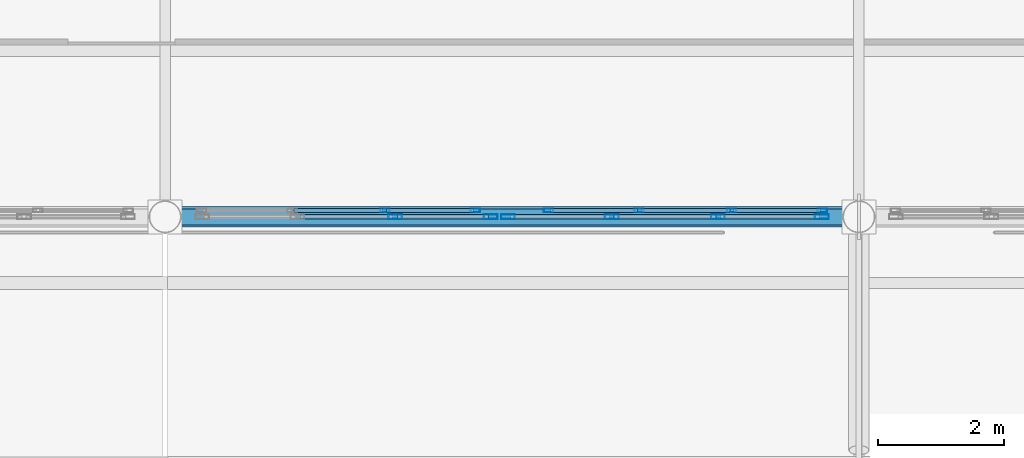
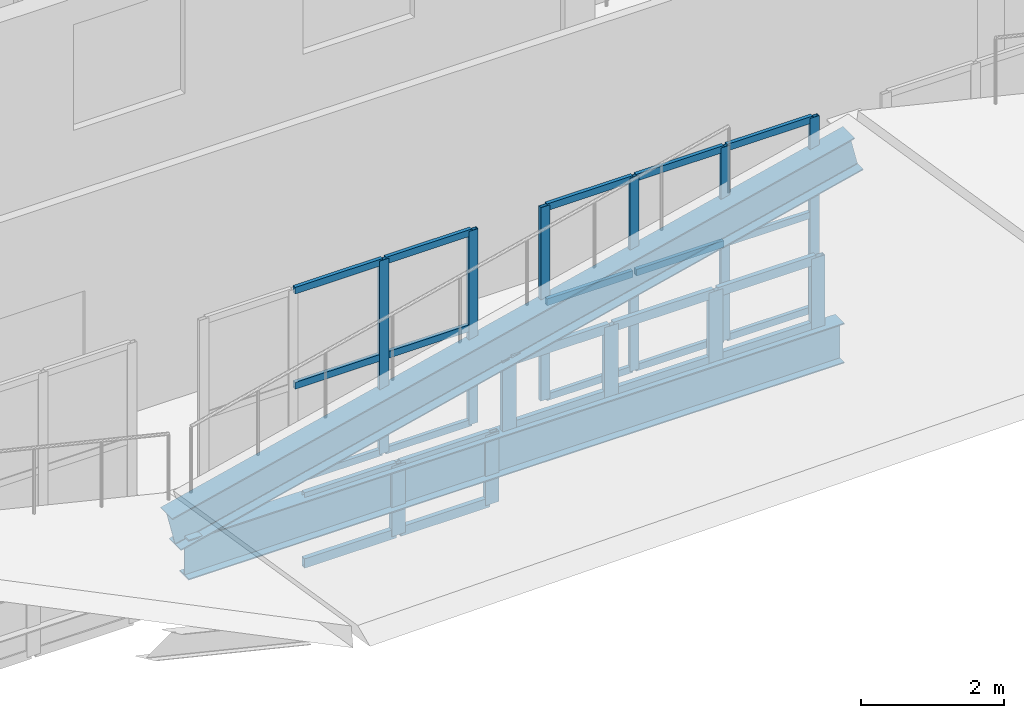
# One storey, part 29 of 120: 37 members, 2 beams, 4 elements without a shape of their own.
"""IFC4 building model written with IfcOpenShell, lengths in metres."""

import ifcopenshell
import ifcopenshell.guid

model = None  # the IFC model being written
_history = None  # IfcOwnerHistory: only IFC2X3 demands one
_inside = {}  # id of a spatial element -> (the spatial element, [elements in it])
_under = {}  # id of a project, library or spatial element -> (it, [spatial elements below it])
_declared = {}  # id of a project -> (the project, [libraries it declares])
_typed = {}  # id of a type object -> (the type object, [elements of that type])
_made_of = {}  # id of a material, layer set ... -> (it, [elements and type objects made of it])


def new_model(schema):
    """Start an empty IFC model of exactly this schema.

    Asked for "IFC4X3", IfcOpenShell would pick the latest addendum, in which some entities
    have other attributes; the version numbers below select the first issue.
    IFC2X3 requires an IfcOwnerHistory on every rooted entity: one is made here for all.
    """
    global model, _history
    if schema == "IFC4X3":
        model = ifcopenshell.file(schema_version=(4, 3, 0, 0))
    else:
        model = ifcopenshell.file(schema=schema)
    _inside.clear()
    _under.clear()
    _declared.clear()
    _typed.clear()
    _made_of.clear()
    _history = None
    if model.schema == "IFC2X3":
        org = make("IfcOrganization", Name="unknown")
        user = make(
            "IfcPersonAndOrganization",
            ThePerson=make("IfcPerson", FamilyName="unknown"),
            TheOrganization=org,
        )
        app = make(
            "IfcApplication",
            ApplicationDeveloper=org,
            Version="unknown",
            ApplicationFullName="unknown",
            ApplicationIdentifier="unknown",
        )
        _history = make(
            "IfcOwnerHistory",
            OwningUser=user,
            OwningApplication=app,
            ChangeAction="ADDED",
            CreationDate=0,
        )
    return model


def make(cls, **values):
    """One entity of the class cls with the attributes given. An attribute that is None is left unset."""
    return model.create_entity(
        cls, **{name: value for name, value in values.items() if value is not None}
    )


def rooted(cls, **values):
    """An entity with a GlobalId (a new one), such as an element, a storey or a relation."""
    return make(cls, GlobalId=ifcopenshell.guid.new(), OwnerHistory=_history, **values)


def si_unit(unit_type, name, prefix=None):
    """IfcSIUnit, for example si_unit("LENGTHUNIT", "METRE", prefix="MILLI")."""
    return make("IfcSIUnit", UnitType=unit_type, Prefix=prefix, Name=name)


def assignment(units):
    """IfcUnitAssignment: the units of a project."""
    return None if units is None else make("IfcUnitAssignment", Units=units)


def point(xyz):
    """IfcCartesianPoint."""
    return None if xyz is None else make("IfcCartesianPoint", Coordinates=xyz)


def direction(xyz):
    """IfcDirection."""
    return None if xyz is None else make("IfcDirection", DirectionRatios=xyz)


def frame(location, z_axis=None, x_axis=None):
    """IfcAxis2Placement3D, a coordinate frame: its origin and axes. An axis left out is left unset."""
    return make(
        "IfcAxis2Placement3D",
        Location=point(location),
        Axis=direction(z_axis),
        RefDirection=direction(x_axis),
    )


def frame_2d(location, x_axis=None):
    """IfcAxis2Placement2D, a coordinate frame in the plane: its origin and x axis."""
    return make(
        "IfcAxis2Placement2D", Location=point(location), RefDirection=direction(x_axis)
    )


def origin():
    """The frame at (0, 0, 0) with its axes left unset."""
    return frame((0.0, 0.0, 0.0))


def origin_2d():
    """The frame at (0, 0) in the plane with its x axis left unset."""
    return frame_2d((0.0, 0.0))


def place(relative_to, where):
    """IfcLocalPlacement: puts the frame where relative to a parent placement (None: the world)."""
    return make(
        "IfcLocalPlacement", PlacementRelTo=relative_to, RelativePlacement=where
    )


def context(
    kind, dimensions, precision=None, world=None, true_north=None, identifier=None
):
    """IfcGeometricRepresentationContext, for example the 3D "Model" context."""
    return make(
        "IfcGeometricRepresentationContext",
        ContextIdentifier=identifier,
        ContextType=kind,
        CoordinateSpaceDimension=dimensions,
        Precision=precision,
        WorldCoordinateSystem=world,
        TrueNorth=true_north,
    )


def subcontext(parent, identifier, kind, view, scale=None):
    """IfcGeometricRepresentationSubContext, for example "Body" below "Model"."""
    return make(
        "IfcGeometricRepresentationSubContext",
        ContextIdentifier=identifier,
        ContextType=kind,
        ParentContext=parent,
        TargetScale=scale,
        TargetView=view,
    )


def project(units=None, contexts=None):
    """IfcProject with its units and contexts."""
    return rooted(
        "IfcProject",
        Name="project",
        RepresentationContexts=contexts,
        UnitsInContext=assignment(units),
    )


def spatial(cls, under=None, at=None, **own):
    """A site, building, storey or space (cls), placed at a placement, below another one or the project."""
    s = rooted(cls, ObjectPlacement=at, **own)
    if under is not None:
        _under.setdefault(under.id(), (under, []))[1].append(s)
    return s


def profile(cls, at=None, kind="AREA", **sizes):
    """A parametric profile (cls). Its sizes go by their IFC names, for example OverallWidth=200.0."""
    return make(cls, ProfileType=kind, Position=at, **sizes)


def hollow_rectangle(**sizes):
    """IfcRectangleHollowProfileDef."""
    return profile("IfcRectangleHollowProfileDef", **sizes)


def i_section(**sizes):
    """IfcIShapeProfileDef."""
    return profile("IfcIShapeProfileDef", **sizes)


def extrude(swept, where, along, depth):
    """IfcExtrudedAreaSolid: the profile swept, set in the frame where, extruded along a direction by depth."""
    return make(
        "IfcExtrudedAreaSolid",
        SweptArea=swept,
        Position=where,
        ExtrudedDirection=direction(along),
        Depth=depth,
    )


def shape(context_of_items, identifier, shape_type, items):
    """IfcShapeRepresentation: the items that make up one representation, for example the "Body"."""
    return make(
        "IfcShapeRepresentation",
        ContextOfItems=context_of_items,
        RepresentationIdentifier=identifier,
        RepresentationType=shape_type,
        Items=items,
    )


def material(Name=None, Category=None):
    """IfcMaterial."""
    return make("IfcMaterial", Name=Name, Category=Category)


def material_profile(
    of_material, cross_section, Name=None, Category=None, Priority=None
):
    """IfcMaterialProfile: a cross section and its material."""
    return make(
        "IfcMaterialProfile",
        Name=Name,
        Material=of_material,
        Profile=cross_section,
        Priority=Priority,
        Category=Category,
    )


def profile_set(profiles, Name=None, composite=None):
    """IfcMaterialProfileSet."""
    return make(
        "IfcMaterialProfileSet",
        Name=Name,
        MaterialProfiles=profiles,
        CompositeProfile=composite,
    )


def made_of(thing, what):
    """Note that an element or type object is made of a material, layer set ...; save() writes the relation."""
    if what is not None:
        _made_of.setdefault(what.id(), (what, []))[1].append(thing)
    return thing


def type_object(cls, material=None, **own):
    """A type object (cls), such as IfcWallType, which elements share."""
    return made_of(rooted(cls, **own), material)


def element(
    cls,
    number,
    at=None,
    inside=None,
    cuts=None,
    type_object=None,
    material=None,
    context=None,
    identifier="Body",
    shape_type=None,
    held_by="IfcProductDefinitionShape",
    body=None,
    shapes=None,
    **own,
):
    """One element of the class cls, such as IfcWall. Its Tag is "e" and its number.

    at: its placement. inside: the storey or other place that contains it. cuts: it is an
    opening in that element (IfcRelVoidsElement). A single representation is given by context,
    identifier, shape_type and body (its items); several are given by shapes. held_by: the class
    of the entity that holds the representations. save() writes the other relations.
    """
    e = rooted(cls, Tag="e%d" % number, ObjectPlacement=at, **own)
    if body is not None:
        shapes = [shape(context, identifier, shape_type, body)]
    if shapes is not None:
        e.Representation = make(held_by, Representations=shapes)
    if inside is not None:
        _inside.setdefault(inside.id(), (inside, []))[1].append(e)
    if cuts is not None:
        rooted(
            "IfcRelVoidsElement", RelatingBuildingElement=cuts, RelatedOpeningElement=e
        )
    if type_object is not None:
        _typed.setdefault(type_object.id(), (type_object, []))[1].append(e)
    return made_of(e, material)


def aggregate(whole, parts):
    """IfcRelAggregates: a whole, such as a stair, and the parts it consists of."""
    return rooted("IfcRelAggregates", RelatingObject=whole, RelatedObjects=parts)


def save(model, path):
    """Write the relations noted so far, then the file.

    IfcRelAggregates (storeys below a building ...), IfcRelContainedInSpatialStructure (elements
    in a storey), IfcRelDefinesByType, IfcRelAssociatesMaterial and IfcRelDeclares: one each for
    every whole, place, type object, material and project.
    """
    for whole, parts in _under.values():
        aggregate(whole, parts)
    for where, things in _inside.values():
        rooted(
            "IfcRelContainedInSpatialStructure",
            RelatedElements=things,
            RelatingStructure=where,
        )
    for kind, things in _typed.values():
        rooted("IfcRelDefinesByType", RelatedObjects=things, RelatingType=kind)
    for what, things in _made_of.values():
        rooted("IfcRelAssociatesMaterial", RelatedObjects=things, RelatingMaterial=what)
    for by, libraries in _declared.values():
        rooted("IfcRelDeclares", RelatingContext=by, RelatedDefinitions=libraries)
    model.write(path)


model = new_model("IFC4")

# Units and contexts
model_context = context("Model", 3, precision=1e-05, world=origin(), true_north=direction((0.0, 1.0)))
body_context = subcontext(model_context, "Body", "Model", "MODEL_VIEW")
ifc_project = project(units=[si_unit("LENGTHUNIT", "METRE"), si_unit("AREAUNIT", "SQUARE_METRE"), si_unit("VOLUMEUNIT", "CUBIC_METRE"), si_unit("PLANEANGLEUNIT", "RADIAN"), si_unit("MASSUNIT", "GRAM", prefix="KILO")], contexts=[model_context])

# Site, building, storey
site_placement = place(None, origin())
site = spatial("IfcSite", under=ifc_project, at=site_placement, CompositionType="ELEMENT")
building_placement = place(site_placement, origin())
building = spatial("IfcBuilding", under=site, at=building_placement, Name="Caurita Quay Ferry Terminal", CompositionType="ELEMENT")
storey_placement = place(building_placement, frame((0.0, 0.0, 9.89990234375)))
storey = spatial("IfcBuildingStorey", under=building, at=storey_placement, Name="L02", CompositionType="ELEMENT", Elevation=9.89990234375)

# Beams
ifc_material_1 = material(Name="Structural steel ASTM A992 Gr. 50", Category="steel")
ifc_material_profile_1 = material_profile(ifc_material_1, i_section(OverallWidth=0.3251953125, OverallDepth=0.612060546875, WebThickness=0.0126953125, FlangeThickness=0.01904296875, FilletRadius=0.01513671875, at=origin_2d()), Name="W24X104")
ifc_profile_set_1 = profile_set([ifc_material_profile_1], Name="Structural steel ASTM A992 Gr. 50")
beam_type_1 = type_object("IfcBeamType", Name="BM-GR-W24A", PredefinedType="BEAM", material=ifc_profile_set_1)
beam_1_placement = place(storey_placement, frame((44.0, 62.699951171875, -0.02978515625), z_axis=(0.972389456854, 0.0, 0.233363973654), x_axis=(0.0, 1.0, 0.0)))
element("IfcBeam", 1, at=beam_1_placement, inside=storey, type_object=beam_type_1, Name="Folded Roof Gable Ring Girder V1-N-44", PredefinedType="BEAM", context=body_context, shape_type="SweptSolid", body=[
    extrude(i_section(OverallWidth=0.3251953125, OverallDepth=0.612060546875, WebThickness=0.0126953125, FlangeThickness=0.01904296875, FilletRadius=0.01513671875, at=origin_2d()), origin(), (0.0, 0.0, 1.0), 11.312255859375),
])
ifc_material_profile_2 = material_profile(ifc_material_1, i_section(OverallWidth=0.25390625, OverallDepth=0.68310546875, WebThickness=0.012451171875, FlangeThickness=0.018798828125, at=origin_2d()), Name="W27X94")
ifc_profile_set_2 = profile_set([ifc_material_profile_2], Name="Structural steel ASTM A992 Gr. 50")
beam_type_2 = type_object("IfcBeamType", Name="BM-GR-W27B", PredefinedType="BEAM", material=ifc_profile_set_2)
beam_2_placement = place(storey_placement, frame((44.2158203125, 62.699951171875, -0.5615234375), z_axis=(1.0, 0.0, 0.0), x_axis=(0.0, 1.0, 0.0)))
element("IfcBeam", 2, at=beam_2_placement, inside=storey, type_object=beam_type_2, Name="L02 Beam BM-V1-L02-X-442-627", PredefinedType="BEAM", context=body_context, shape_type="SweptSolid", body=[
    extrude(i_section(OverallWidth=0.25390625, OverallDepth=0.68310546875, WebThickness=0.012451171875, FlangeThickness=0.018798828125, at=origin_2d()), origin(), (0.0, 0.0, 1.0), 10.568359375),
])

# Curtain wall, members
ifc_material_2 = material(Name="Laminated solar-control insulated glass", Category="glass")
curtain_wall_type_1 = type_object("IfcCurtainWallType", Name="CW-SYS-13", PredefinedType="NOTDEFINED", material=ifc_material_2)
curtain_wall_1_placement = place(storey_placement, origin())
curtain_wall_1 = element("IfcCurtainWall", 3, at=curtain_wall_1_placement, inside=storey, type_object=curtain_wall_type_1, Name="Mezzanine Hall Overlook Glazing 097", PredefinedType="NOTDEFINED")
ifc_material_3 = material(Name="Anodized aluminium 6063-T6", Category="aluminium")
ifc_material_profile_3 = material_profile(ifc_material_3, hollow_rectangle(XDim=0.06005859375, YDim=0.14990234375, WallThickness=0.00341796875, at=origin_2d()), Name="ALU-MUL-60X150")
ifc_profile_set_3 = profile_set([ifc_material_profile_3], Name="Anodized aluminium 6063-T6")
member_type_1 = type_object("IfcMemberType", Name="CW-MUL-150", PredefinedType="MULLION", material=ifc_profile_set_3)
member_1_placement = place(storey_placement, frame((47.4833984375, 62.800048828125, 0.0), z_axis=(0.0, 0.0, 1.0), x_axis=(0.0, 1.0, 0.0)))
member_1 = element("IfcMember", 4, at=member_1_placement, type_object=member_type_1, Name="CW-MZL-097 Mullion 3", PredefinedType="MULLION", context=body_context, shape_type="SweptSolid", body=[
    extrude(hollow_rectangle(XDim=0.06005859375, YDim=0.14990234375, WallThickness=0.00341796875, at=origin_2d()), origin(), (0.0, 0.0, 1.0), 3.300048828125),
])
member_2_placement = place(storey_placement, frame((48.919921875, 62.800048828125, 0.0), z_axis=(0.0, 0.0, 1.0), x_axis=(0.0, 1.0, 0.0)))
member_2 = element("IfcMember", 5, at=member_2_placement, type_object=member_type_1, Name="CW-MZL-097 Mullion 4", PredefinedType="MULLION", context=body_context, shape_type="SweptSolid", body=[
    extrude(hollow_rectangle(XDim=0.06005859375, YDim=0.14990234375, WallThickness=0.00341796875, at=origin_2d()), origin(), (0.0, 0.0, 1.0), 3.300048828125),
])

curtain_wall_2_placement = place(storey_placement, origin())
curtain_wall_2 = element("IfcCurtainWall", 6, at=curtain_wall_2_placement, inside=storey, type_object=curtain_wall_type_1, Name="Mezzanine Hall Overlook Glazing 098", PredefinedType="NOTDEFINED")
member_3_placement = place(storey_placement, frame((50.080078125, 62.800048828125, 0.0), z_axis=(0.0, 0.0, 1.0), x_axis=(0.0, 1.0, 0.0)))
member_3 = element("IfcMember", 7, at=member_3_placement, type_object=member_type_1, Name="CW-MZL-098 Mullion 1", PredefinedType="MULLION", context=body_context, shape_type="SweptSolid", body=[
    extrude(hollow_rectangle(XDim=0.06005859375, YDim=0.14990234375, WallThickness=0.00341796875, at=origin_2d()), origin(), (0.0, 0.0, 1.0), 3.300048828125),
])
member_4_placement = place(storey_placement, frame((51.5166015625, 62.800048828125, 0.0), z_axis=(0.0, 0.0, 1.0), x_axis=(0.0, 1.0, 0.0)))
member_4 = element("IfcMember", 8, at=member_4_placement, type_object=member_type_1, Name="CW-MZL-098 Mullion 2", PredefinedType="MULLION", context=body_context, shape_type="SweptSolid", body=[
    extrude(hollow_rectangle(XDim=0.06005859375, YDim=0.14990234375, WallThickness=0.00341796875, at=origin_2d()), origin(), (0.0, 0.0, 1.0), 3.300048828125),
])
member_5_placement = place(storey_placement, frame((52.9833984375, 62.800048828125, 0.0), z_axis=(0.0, 0.0, 1.0), x_axis=(0.0, 1.0, 0.0)))
member_5 = element("IfcMember", 9, at=member_5_placement, type_object=member_type_1, Name="CW-MZL-098 Mullion 3", PredefinedType="MULLION", context=body_context, shape_type="SweptSolid", body=[
    extrude(hollow_rectangle(XDim=0.06005859375, YDim=0.14990234375, WallThickness=0.00341796875, at=origin_2d()), origin(), (0.0, 0.0, 1.0), 3.300048828125),
])
member_6_placement = place(storey_placement, frame((54.419921875, 62.800048828125, 0.0), z_axis=(0.0, 0.0, 1.0), x_axis=(0.0, 1.0, 0.0)))
member_6 = element("IfcMember", 10, at=member_6_placement, type_object=member_type_1, Name="CW-MZL-098 Mullion 4", PredefinedType="MULLION", context=body_context, shape_type="SweptSolid", body=[
    extrude(hollow_rectangle(XDim=0.06005859375, YDim=0.14990234375, WallThickness=0.00341796875, at=origin_2d()), origin(), (0.0, 0.0, 1.0), 3.300048828125),
])

curtain_wall_type_2 = type_object("IfcCurtainWallType", Name="CW-SYS-05", PredefinedType="NOTDEFINED", material=ifc_material_2)
curtain_wall_3_placement = place(storey_placement, origin())
curtain_wall_3 = element("IfcCurtainWall", 11, at=curtain_wall_3_placement, inside=storey, type_object=curtain_wall_type_2, Name="Folded Roof Clerestory FB-03-N1", PredefinedType="NOTDEFINED")
ifc_material_profile_4 = material_profile(ifc_material_3, hollow_rectangle(XDim=0.074951171875, YDim=0.219970703125, WallThickness=0.00390625, at=origin_2d()), Name="ALU-MUL-75X220")
ifc_profile_set_4 = profile_set([ifc_material_profile_4], Name="Anodized aluminium 6063-T6")
member_type_2 = type_object("IfcMemberType", Name="CW-MUL-220", PredefinedType="MULLION", material=ifc_profile_set_4)
member_7_placement = place(storey_placement, frame((47.64990234375, 62.699951171875, -1.3828125), z_axis=(0.0, 0.0, 1.0), x_axis=(0.0, 1.0, 0.0)))
member_7 = element("IfcMember", 12, at=member_7_placement, type_object=member_type_2, Name="CW-CLR-021 Mullion 3", PredefinedType="MULLION", context=body_context, shape_type="SweptSolid", body=[
    extrude(hollow_rectangle(XDim=0.074951171875, YDim=0.219970703125, WallThickness=0.00390625, at=origin_2d()), origin(), (0.0, 0.0, 1.0), 1.199951171875),
])
member_8_placement = place(storey_placement, frame((49.16259765625, 62.699951171875, -1.3828125), z_axis=(0.0, 0.0, 1.0), x_axis=(0.0, 1.0, 0.0)))
member_8 = element("IfcMember", 13, at=member_8_placement, type_object=member_type_2, Name="CW-CLR-021 Mullion 4", PredefinedType="MULLION", context=body_context, shape_type="SweptSolid", body=[
    extrude(hollow_rectangle(XDim=0.074951171875, YDim=0.219970703125, WallThickness=0.00390625, at=origin_2d()), origin(), (0.0, 0.0, 1.0), 1.199951171875),
])

curtain_wall_type_3 = type_object("IfcCurtainWallType", Name="CW-SYS-06", PredefinedType="NOTDEFINED", material=ifc_material_2)
curtain_wall_4_placement = place(storey_placement, origin())
curtain_wall_4 = element("IfcCurtainWall", 14, at=curtain_wall_4_placement, inside=storey, type_object=curtain_wall_type_3, Name="Folded Roof Clerestory FB-03-N2", PredefinedType="NOTDEFINED")
member_9_placement = place(storey_placement, frame((49.4375, 62.699951171875, -0.218994140625), z_axis=(0.0, 0.0, 1.0), x_axis=(0.0, 1.0, 0.0)))
member_9 = element("IfcMember", 15, at=member_9_placement, type_object=member_type_2, Name="CW-CLR-022 Mullion 1", PredefinedType="MULLION", context=body_context, shape_type="SweptSolid", body=[
    extrude(hollow_rectangle(XDim=0.074951171875, YDim=0.219970703125, WallThickness=0.00390625, at=origin_2d()), origin(), (0.0, 0.0, 1.0), 1.2001953125),
])
member_10_placement = place(storey_placement, frame((51.083251953125, 62.699951171875, -0.218994140625), z_axis=(0.0, 0.0, 1.0), x_axis=(0.0, 1.0, 0.0)))
member_10 = element("IfcMember", 16, at=member_10_placement, type_object=member_type_2, Name="CW-CLR-022 Mullion 2", PredefinedType="MULLION", context=body_context, shape_type="SweptSolid", body=[
    extrude(hollow_rectangle(XDim=0.074951171875, YDim=0.219970703125, WallThickness=0.00390625, at=origin_2d()), origin(), (0.0, 0.0, 1.0), 1.2001953125),
])
member_11_placement = place(storey_placement, frame((52.7666015625, 62.699951171875, -0.218994140625), z_axis=(0.0, 0.0, 1.0), x_axis=(0.0, 1.0, 0.0)))
member_11 = element("IfcMember", 17, at=member_11_placement, type_object=member_type_2, Name="CW-CLR-022 Mullion 3", PredefinedType="MULLION", context=body_context, shape_type="SweptSolid", body=[
    extrude(hollow_rectangle(XDim=0.074951171875, YDim=0.219970703125, WallThickness=0.00390625, at=origin_2d()), origin(), (0.0, 0.0, 1.0), 1.2001953125),
])
member_12_placement = place(storey_placement, frame((54.41259765625, 62.699951171875, -0.218994140625), z_axis=(0.0, 0.0, 1.0), x_axis=(0.0, 1.0, 0.0)))
member_12 = element("IfcMember", 18, at=member_12_placement, type_object=member_type_2, Name="CW-CLR-022 Mullion 4", PredefinedType="MULLION", context=body_context, shape_type="SweptSolid", body=[
    extrude(hollow_rectangle(XDim=0.074951171875, YDim=0.219970703125, WallThickness=0.00390625, at=origin_2d()), origin(), (0.0, 0.0, 1.0), 1.2001953125),
])

# Member
ifc_material_profile_5 = material_profile(ifc_material_3, hollow_rectangle(XDim=0.06005859375, YDim=0.114990234375, WallThickness=0.00341796875, at=origin_2d()), Name="ALU-TRN-60X115")
ifc_profile_set_5 = profile_set([ifc_material_profile_5], Name="Anodized aluminium 6063-T6")
member_type_3 = type_object("IfcMemberType", Name="CW-TRN-115", PredefinedType="USERDEFINED", material=ifc_profile_set_5)
member_13_placement = place(storey_placement, frame((46.044677734375, 62.800048828125, 0.030029296875), z_axis=(1.0, 0.0, 0.0), x_axis=(0.0, 1.0, 0.0)))
member_13 = element("IfcMember", 19, at=member_13_placement, type_object=member_type_3, Name="CW-MZL-097 Transom 4", ObjectType="TRANSOM", PredefinedType="USERDEFINED", context=body_context, shape_type="SweptSolid", body=[
    extrude(hollow_rectangle(XDim=0.06005859375, YDim=0.114990234375, WallThickness=0.00341796875, at=origin_2d()), origin(), (0.0, 0.0, 1.0), 1.41064453125),
])

member_14_placement = place(storey_placement, frame((46.044677734375, 62.800048828125, 1.650146484375), z_axis=(1.0, 0.0, 0.0), x_axis=(0.0, 1.0, 0.0)))
member_14 = element("IfcMember", 20, at=member_14_placement, type_object=member_type_3, Name="CW-MZL-097 Transom 5", ObjectType="TRANSOM", PredefinedType="USERDEFINED", context=body_context, shape_type="SweptSolid", body=[
    extrude(hollow_rectangle(XDim=0.06005859375, YDim=0.114990234375, WallThickness=0.00341796875, at=origin_2d()), origin(), (0.0, 0.0, 1.0), 1.41064453125),
])

member_15_placement = place(storey_placement, frame((46.044677734375, 62.800048828125, 3.27001953125), z_axis=(1.0, 0.0, 0.0), x_axis=(0.0, 1.0, 0.0)))
member_15 = element("IfcMember", 21, at=member_15_placement, type_object=member_type_3, Name="CW-MZL-097 Transom 6", ObjectType="TRANSOM", PredefinedType="USERDEFINED", context=body_context, shape_type="SweptSolid", body=[
    extrude(hollow_rectangle(XDim=0.06005859375, YDim=0.114990234375, WallThickness=0.00341796875, at=origin_2d()), origin(), (0.0, 0.0, 1.0), 1.41064453125),
])

member_16_placement = place(storey_placement, frame((47.51123046875, 62.800048828125, 0.030029296875), z_axis=(1.0, 0.0, 0.0), x_axis=(0.0, 1.0, 0.0)))
member_16 = element("IfcMember", 22, at=member_16_placement, type_object=member_type_3, Name="CW-MZL-097 Transom 7", ObjectType="TRANSOM", PredefinedType="USERDEFINED", context=body_context, shape_type="SweptSolid", body=[
    extrude(hollow_rectangle(XDim=0.06005859375, YDim=0.114990234375, WallThickness=0.00341796875, at=origin_2d()), origin(), (0.0, 0.0, 1.0), 1.380859375),
])

member_17_placement = place(storey_placement, frame((47.51123046875, 62.800048828125, 1.650146484375), z_axis=(1.0, 0.0, 0.0), x_axis=(0.0, 1.0, 0.0)))
member_17 = element("IfcMember", 23, at=member_17_placement, type_object=member_type_3, Name="CW-MZL-097 Transom 8", ObjectType="TRANSOM", PredefinedType="USERDEFINED", context=body_context, shape_type="SweptSolid", body=[
    extrude(hollow_rectangle(XDim=0.06005859375, YDim=0.114990234375, WallThickness=0.00341796875, at=origin_2d()), origin(), (0.0, 0.0, 1.0), 1.380859375),
])

member_18_placement = place(storey_placement, frame((47.51123046875, 62.800048828125, 3.27001953125), z_axis=(1.0, 0.0, 0.0), x_axis=(0.0, 1.0, 0.0)))
member_18 = element("IfcMember", 24, at=member_18_placement, type_object=member_type_3, Name="CW-MZL-097 Transom 9", ObjectType="TRANSOM", PredefinedType="USERDEFINED", context=body_context, shape_type="SweptSolid", body=[
    extrude(hollow_rectangle(XDim=0.06005859375, YDim=0.114990234375, WallThickness=0.00341796875, at=origin_2d()), origin(), (0.0, 0.0, 1.0), 1.380859375),
])

aggregate(curtain_wall_1, [member_1, member_2, member_13, member_14, member_15, member_16, member_17, member_18])

member_19_placement = place(storey_placement, frame((50.10791015625, 62.800048828125, 0.030029296875), z_axis=(1.0, 0.0, 0.0), x_axis=(0.0, 1.0, 0.0)))
member_19 = element("IfcMember", 25, at=member_19_placement, type_object=member_type_3, Name="CW-MZL-098 Transom 1", ObjectType="TRANSOM", PredefinedType="USERDEFINED", context=body_context, shape_type="SweptSolid", body=[
    extrude(hollow_rectangle(XDim=0.06005859375, YDim=0.114990234375, WallThickness=0.00341796875, at=origin_2d()), origin(), (0.0, 0.0, 1.0), 1.380859375),
])

member_20_placement = place(storey_placement, frame((50.10791015625, 62.800048828125, 1.650146484375), z_axis=(1.0, 0.0, 0.0), x_axis=(0.0, 1.0, 0.0)))
member_20 = element("IfcMember", 26, at=member_20_placement, type_object=member_type_3, Name="CW-MZL-098 Transom 2", ObjectType="TRANSOM", PredefinedType="USERDEFINED", context=body_context, shape_type="SweptSolid", body=[
    extrude(hollow_rectangle(XDim=0.06005859375, YDim=0.114990234375, WallThickness=0.00341796875, at=origin_2d()), origin(), (0.0, 0.0, 1.0), 1.380859375),
])

member_21_placement = place(storey_placement, frame((50.10791015625, 62.800048828125, 3.27001953125), z_axis=(1.0, 0.0, 0.0), x_axis=(0.0, 1.0, 0.0)))
member_21 = element("IfcMember", 27, at=member_21_placement, type_object=member_type_3, Name="CW-MZL-098 Transom 3", ObjectType="TRANSOM", PredefinedType="USERDEFINED", context=body_context, shape_type="SweptSolid", body=[
    extrude(hollow_rectangle(XDim=0.06005859375, YDim=0.114990234375, WallThickness=0.00341796875, at=origin_2d()), origin(), (0.0, 0.0, 1.0), 1.380859375),
])

member_22_placement = place(storey_placement, frame((51.544677734375, 62.800048828125, 0.030029296875), z_axis=(1.0, 0.0, 0.0), x_axis=(0.0, 1.0, 0.0)))
member_22 = element("IfcMember", 28, at=member_22_placement, type_object=member_type_3, Name="CW-MZL-098 Transom 4", ObjectType="TRANSOM", PredefinedType="USERDEFINED", context=body_context, shape_type="SweptSolid", body=[
    extrude(hollow_rectangle(XDim=0.06005859375, YDim=0.114990234375, WallThickness=0.00341796875, at=origin_2d()), origin(), (0.0, 0.0, 1.0), 1.41064453125),
])

member_23_placement = place(storey_placement, frame((51.544677734375, 62.800048828125, 1.650146484375), z_axis=(1.0, 0.0, 0.0), x_axis=(0.0, 1.0, 0.0)))
member_23 = element("IfcMember", 29, at=member_23_placement, type_object=member_type_3, Name="CW-MZL-098 Transom 5", ObjectType="TRANSOM", PredefinedType="USERDEFINED", context=body_context, shape_type="SweptSolid", body=[
    extrude(hollow_rectangle(XDim=0.06005859375, YDim=0.114990234375, WallThickness=0.00341796875, at=origin_2d()), origin(), (0.0, 0.0, 1.0), 1.41064453125),
])

member_24_placement = place(storey_placement, frame((51.544677734375, 62.800048828125, 3.27001953125), z_axis=(1.0, 0.0, 0.0), x_axis=(0.0, 1.0, 0.0)))
member_24 = element("IfcMember", 30, at=member_24_placement, type_object=member_type_3, Name="CW-MZL-098 Transom 6", ObjectType="TRANSOM", PredefinedType="USERDEFINED", context=body_context, shape_type="SweptSolid", body=[
    extrude(hollow_rectangle(XDim=0.06005859375, YDim=0.114990234375, WallThickness=0.00341796875, at=origin_2d()), origin(), (0.0, 0.0, 1.0), 1.41064453125),
])

member_25_placement = place(storey_placement, frame((53.01123046875, 62.800048828125, 0.030029296875), z_axis=(1.0, 0.0, 0.0), x_axis=(0.0, 1.0, 0.0)))
member_25 = element("IfcMember", 31, at=member_25_placement, type_object=member_type_3, Name="CW-MZL-098 Transom 7", ObjectType="TRANSOM", PredefinedType="USERDEFINED", context=body_context, shape_type="SweptSolid", body=[
    extrude(hollow_rectangle(XDim=0.06005859375, YDim=0.114990234375, WallThickness=0.00341796875, at=origin_2d()), origin(), (0.0, 0.0, 1.0), 1.380859375),
])

member_26_placement = place(storey_placement, frame((53.01123046875, 62.800048828125, 1.650146484375), z_axis=(1.0, 0.0, 0.0), x_axis=(0.0, 1.0, 0.0)))
member_26 = element("IfcMember", 32, at=member_26_placement, type_object=member_type_3, Name="CW-MZL-098 Transom 8", ObjectType="TRANSOM", PredefinedType="USERDEFINED", context=body_context, shape_type="SweptSolid", body=[
    extrude(hollow_rectangle(XDim=0.06005859375, YDim=0.114990234375, WallThickness=0.00341796875, at=origin_2d()), origin(), (0.0, 0.0, 1.0), 1.380859375),
])

member_27_placement = place(storey_placement, frame((53.01123046875, 62.800048828125, 3.27001953125), z_axis=(1.0, 0.0, 0.0), x_axis=(0.0, 1.0, 0.0)))
member_27 = element("IfcMember", 33, at=member_27_placement, type_object=member_type_3, Name="CW-MZL-098 Transom 9", ObjectType="TRANSOM", PredefinedType="USERDEFINED", context=body_context, shape_type="SweptSolid", body=[
    extrude(hollow_rectangle(XDim=0.06005859375, YDim=0.114990234375, WallThickness=0.00341796875, at=origin_2d()), origin(), (0.0, 0.0, 1.0), 1.380859375),
])

aggregate(curtain_wall_2, [member_3, member_4, member_5, member_6, member_19, member_20, member_21, member_22, member_23, member_24, member_25, member_26, member_27])

ifc_material_profile_6 = material_profile(ifc_material_3, hollow_rectangle(XDim=0.074951171875, YDim=0.159912109375, WallThickness=0.00390625, at=origin_2d()), Name="ALU-TRN-75X160")
ifc_profile_set_6 = profile_set([ifc_material_profile_6], Name="Anodized aluminium 6063-T6")
member_type_4 = type_object("IfcMemberType", Name="CW-TRN-160", PredefinedType="USERDEFINED", material=ifc_profile_set_6)
member_28_placement = place(storey_placement, frame((46.135498046875, 62.699951171875, -1.345458984375), z_axis=(1.0, 0.0, 0.0), x_axis=(0.0, 1.0, 0.0)))
member_28 = element("IfcMember", 34, at=member_28_placement, type_object=member_type_4, Name="CW-CLR-021 Transom 3", ObjectType="TRANSOM", PredefinedType="USERDEFINED", context=body_context, shape_type="SweptSolid", body=[
    extrude(hollow_rectangle(XDim=0.074951171875, YDim=0.159912109375, WallThickness=0.00390625, at=origin_2d()), origin(), (0.0, 0.0, 1.0), 1.47900390625),
])

member_29_placement = place(storey_placement, frame((46.135498046875, 62.699951171875, -0.220458984375), z_axis=(1.0, 0.0, 0.0), x_axis=(0.0, 1.0, 0.0)))
member_29 = element("IfcMember", 35, at=member_29_placement, type_object=member_type_4, Name="CW-CLR-021 Transom 4", ObjectType="TRANSOM", PredefinedType="USERDEFINED", context=body_context, shape_type="SweptSolid", body=[
    extrude(hollow_rectangle(XDim=0.074951171875, YDim=0.159912109375, WallThickness=0.00390625, at=origin_2d()), origin(), (0.0, 0.0, 1.0), 1.47900390625),
])

member_30_placement = place(storey_placement, frame((47.685546875, 62.699951171875, -1.345458984375), z_axis=(1.0, 0.0, 0.0), x_axis=(0.0, 1.0, 0.0)))
member_30 = element("IfcMember", 36, at=member_30_placement, type_object=member_type_4, Name="CW-CLR-021 Transom 5", ObjectType="TRANSOM", PredefinedType="USERDEFINED", context=body_context, shape_type="SweptSolid", body=[
    extrude(hollow_rectangle(XDim=0.074951171875, YDim=0.159912109375, WallThickness=0.00390625, at=origin_2d()), origin(), (0.0, 0.0, 1.0), 1.44140625),
])

member_31_placement = place(storey_placement, frame((47.685546875, 62.699951171875, -0.220458984375), z_axis=(1.0, 0.0, 0.0), x_axis=(0.0, 1.0, 0.0)))
member_31 = element("IfcMember", 37, at=member_31_placement, type_object=member_type_4, Name="CW-CLR-021 Transom 6", ObjectType="TRANSOM", PredefinedType="USERDEFINED", context=body_context, shape_type="SweptSolid", body=[
    extrude(hollow_rectangle(XDim=0.074951171875, YDim=0.159912109375, WallThickness=0.00390625, at=origin_2d()), origin(), (0.0, 0.0, 1.0), 1.44140625),
])

aggregate(curtain_wall_3, [member_7, member_8, member_28, member_29, member_30, member_31])

member_32_placement = place(storey_placement, frame((49.472900390625, 62.699951171875, -0.181396484375), z_axis=(1.0, 0.0, 0.0), x_axis=(0.0, 1.0, 0.0)))
member_32 = element("IfcMember", 38, at=member_32_placement, type_object=member_type_4, Name="CW-CLR-022 Transom 1", ObjectType="TRANSOM", PredefinedType="USERDEFINED", context=body_context, shape_type="SweptSolid", body=[
    extrude(hollow_rectangle(XDim=0.074951171875, YDim=0.159912109375, WallThickness=0.00390625, at=origin_2d()), origin(), (0.0, 0.0, 1.0), 1.574951171875),
])

member_33_placement = place(storey_placement, frame((49.472900390625, 62.699951171875, 0.943603515625), z_axis=(1.0, 0.0, 0.0), x_axis=(0.0, 1.0, 0.0)))
member_33 = element("IfcMember", 39, at=member_33_placement, type_object=member_type_4, Name="CW-CLR-022 Transom 2", ObjectType="TRANSOM", PredefinedType="USERDEFINED", context=body_context, shape_type="SweptSolid", body=[
    extrude(hollow_rectangle(XDim=0.074951171875, YDim=0.159912109375, WallThickness=0.00390625, at=origin_2d()), origin(), (0.0, 0.0, 1.0), 1.574951171875),
])

member_34_placement = place(storey_placement, frame((51.118896484375, 62.699951171875, -0.181396484375), z_axis=(1.0, 0.0, 0.0), x_axis=(0.0, 1.0, 0.0)))
member_34 = element("IfcMember", 40, at=member_34_placement, type_object=member_type_4, Name="CW-CLR-022 Transom 3", ObjectType="TRANSOM", PredefinedType="USERDEFINED", context=body_context, shape_type="SweptSolid", body=[
    extrude(hollow_rectangle(XDim=0.074951171875, YDim=0.159912109375, WallThickness=0.00390625, at=origin_2d()), origin(), (0.0, 0.0, 1.0), 1.6123046875),
])

member_35_placement = place(storey_placement, frame((51.118896484375, 62.699951171875, 0.943603515625), z_axis=(1.0, 0.0, 0.0), x_axis=(0.0, 1.0, 0.0)))
member_35 = element("IfcMember", 41, at=member_35_placement, type_object=member_type_4, Name="CW-CLR-022 Transom 4", ObjectType="TRANSOM", PredefinedType="USERDEFINED", context=body_context, shape_type="SweptSolid", body=[
    extrude(hollow_rectangle(XDim=0.074951171875, YDim=0.159912109375, WallThickness=0.00390625, at=origin_2d()), origin(), (0.0, 0.0, 1.0), 1.6123046875),
])

member_36_placement = place(storey_placement, frame((52.80224609375, 62.699951171875, -0.181396484375), z_axis=(1.0, 0.0, 0.0), x_axis=(0.0, 1.0, 0.0)))
member_36 = element("IfcMember", 42, at=member_36_placement, type_object=member_type_4, Name="CW-CLR-022 Transom 5", ObjectType="TRANSOM", PredefinedType="USERDEFINED", context=body_context, shape_type="SweptSolid", body=[
    extrude(hollow_rectangle(XDim=0.074951171875, YDim=0.159912109375, WallThickness=0.00390625, at=origin_2d()), origin(), (0.0, 0.0, 1.0), 1.57470703125),
])

member_37_placement = place(storey_placement, frame((52.80224609375, 62.699951171875, 0.943603515625), z_axis=(1.0, 0.0, 0.0), x_axis=(0.0, 1.0, 0.0)))
member_37 = element("IfcMember", 43, at=member_37_placement, type_object=member_type_4, Name="CW-CLR-022 Transom 6", ObjectType="TRANSOM", PredefinedType="USERDEFINED", context=body_context, shape_type="SweptSolid", body=[
    extrude(hollow_rectangle(XDim=0.074951171875, YDim=0.159912109375, WallThickness=0.00390625, at=origin_2d()), origin(), (0.0, 0.0, 1.0), 1.57470703125),
])

aggregate(curtain_wall_4, [member_9, member_10, member_11, member_12, member_32, member_33, member_34, member_35, member_36, member_37])

save(model, "model.ifc")
